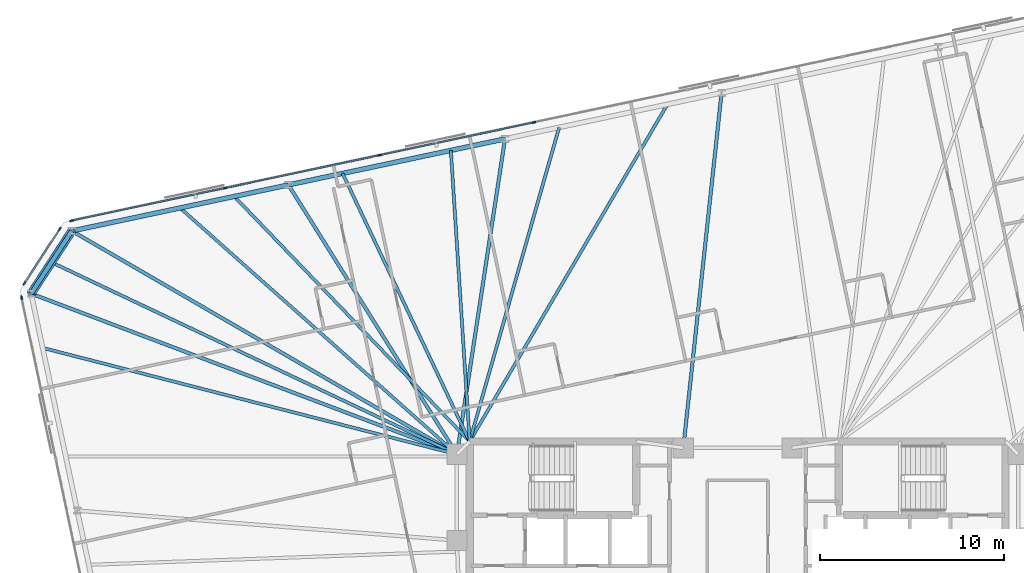
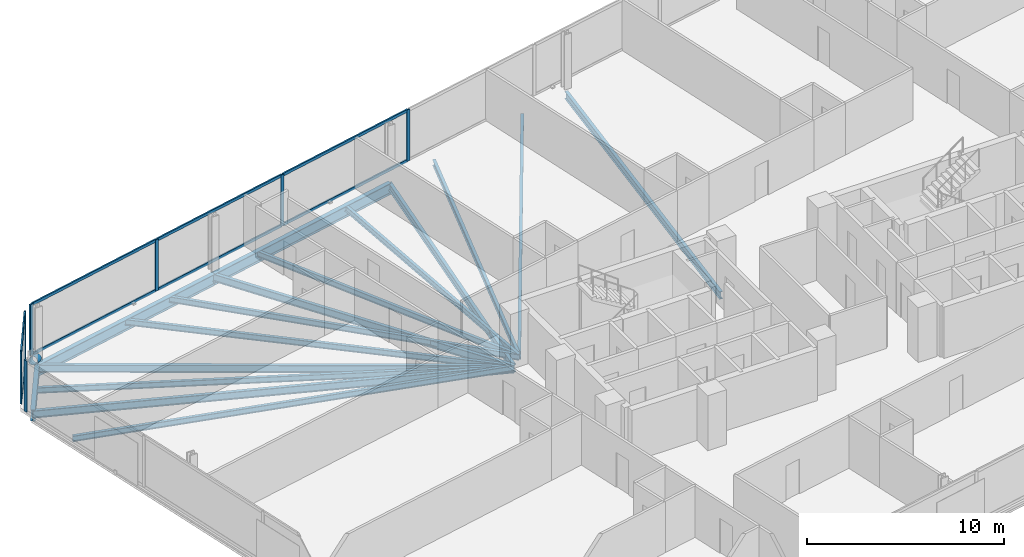
# One storey, part 9 of 19: 16 beams, 16 members, 3 elements without a shape of their own.
"""IFC4 building model written with IfcOpenShell, lengths in metres."""

from ifc_helpers import new_model, si_unit, direction, frame, origin, origin_2d, place, context, subcontext, project, spatial, rectangle, hollow_circle, i_section, extrude, material, material_profile, profile_set, type_object, element, aggregate, save


model = new_model("IFC4")

# Units and contexts
model_context = context("Model", 3, precision=1e-05, world=origin(), true_north=direction((0.0, 1.0)))
body_context = subcontext(model_context, "Body", "Model", "MODEL_VIEW")
ifc_project = project(units=[si_unit("LENGTHUNIT", "METRE"), si_unit("AREAUNIT", "SQUARE_METRE"), si_unit("VOLUMEUNIT", "CUBIC_METRE"), si_unit("PLANEANGLEUNIT", "RADIAN"), si_unit("MASSUNIT", "GRAM", prefix="KILO")], contexts=[model_context])

# Site, building, storey
site_placement = place(None, origin())
site = spatial("IfcSite", under=ifc_project, at=site_placement, CompositionType="ELEMENT")
building_placement = place(site_placement, origin())
building = spatial("IfcBuilding", under=site, at=building_placement, Name="Menara Jurai Vektor", CompositionType="ELEMENT")
storey_placement = place(building_placement, frame((0.0, 0.0, 182.0)))
storey = spatial("IfcBuildingStorey", under=building, at=storey_placement, Name="L47", CompositionType="ELEMENT", Elevation=182.0)

# Curtain wall, members
ifc_material_1 = material(Name="Anodised Pale Aluminium & Low-E Double Glazing", Category="aluminium")
curtain_wall_type = type_object("IfcCurtainWallType", Name="CW-BLK3", PredefinedType="NOTDEFINED", material=ifc_material_1)
curtain_wall_1_placement = place(storey_placement, origin())
curtain_wall_1 = element("IfcCurtainWall", 1, at=curtain_wall_1_placement, inside=storey, type_object=curtain_wall_type, Name="Unitised Curtain Wall L47 F05", PredefinedType="NOTDEFINED")
ifc_material_2 = material(Name="Anodised Pale Aluminium Mullion", Category="aluminium")
ifc_material_profile_1 = material_profile(ifc_material_2, rectangle(XDim=0.0849609375, YDim=0.205078125, at=origin_2d()), Name="ALU MUL 85x205")
ifc_profile_set_1 = profile_set([ifc_material_profile_1], Name="Anodised Pale Aluminium Mullion")
member_type_1 = type_object("IfcMemberType", Name="CW-BLK3-MUL", PredefinedType="MULLION", material=ifc_profile_set_1)
member_1_placement = place(storey_placement, frame((-11.06494140625, 22.9384765625, 0.0), z_axis=(0.0, 0.0, 1.0), x_axis=(0.207911344156, -0.978147674419, 0.0)))
member_1 = element("IfcMember", 2, at=member_1_placement, type_object=member_type_1, Name="CW-03 mullion 5", PredefinedType="MULLION", context=body_context, shape_type="SweptSolid", body=[
    extrude(rectangle(XDim=0.0849609375, YDim=0.205078125, at=origin_2d()), origin(), (0.0, 0.0, 1.0), 3.175048828125),
])
member_2_placement = place(storey_placement, frame((-19.45458984375, 21.1552734375, 0.0), z_axis=(0.0, 0.0, 1.0), x_axis=(0.207911344156, -0.978147674419, 0.0)))
member_2 = element("IfcMember", 3, at=member_2_placement, type_object=member_type_1, Name="CW-03 mullion 6", PredefinedType="MULLION", context=body_context, shape_type="SweptSolid", body=[
    extrude(rectangle(XDim=0.0849609375, YDim=0.205078125, at=origin_2d()), origin(), (0.0, 0.0, 1.0), 3.175048828125),
])
member_3_placement = place(storey_placement, frame((-27.844482421875, 19.3720703125, 0.0), z_axis=(0.0, 0.0, 1.0), x_axis=(0.207911344156, -0.978147674419, 0.0)))
member_3 = element("IfcMember", 4, at=member_3_placement, type_object=member_type_1, Name="CW-03 mullion 7", PredefinedType="MULLION", context=body_context, shape_type="SweptSolid", body=[
    extrude(rectangle(XDim=0.0849609375, YDim=0.205078125, at=origin_2d()), origin(), (0.0, 0.0, 1.0), 3.175048828125),
])
member_4_placement = place(storey_placement, frame((-36.192626953125, 17.59765625, 0.0), z_axis=(0.0, 0.0, 1.0), x_axis=(0.207911344156, -0.978147674419, 0.0)))
member_4 = element("IfcMember", 5, at=member_4_placement, type_object=member_type_1, Name="CW-03 mullion 8", PredefinedType="MULLION", context=body_context, shape_type="SweptSolid", body=[
    extrude(rectangle(XDim=0.0849609375, YDim=0.205078125, at=origin_2d()), origin(), (0.0, 0.0, 1.0), 3.175048828125),
])

curtain_wall_2_placement = place(storey_placement, origin())
curtain_wall_2 = element("IfcCurtainWall", 6, at=curtain_wall_2_placement, inside=storey, type_object=curtain_wall_type, Name="Unitised Curtain Wall L47 F06", PredefinedType="NOTDEFINED")
member_5_placement = place(storey_placement, frame((-36.8359375, 17.1552734375, 0.0), z_axis=(0.0, 0.0, 1.0), x_axis=(0.838684361415, -0.544617794346, 0.0)))
member_5 = element("IfcMember", 7, at=member_5_placement, type_object=member_type_1, Name="CW-03 mullion 1", PredefinedType="MULLION", context=body_context, shape_type="SweptSolid", body=[
    extrude(rectangle(XDim=0.0849609375, YDim=0.205078125, at=origin_2d()), origin(), (0.0, 0.0, 1.0), 3.175048828125),
])
member_6_placement = place(storey_placement, frame((-38.763427734375, 14.187255859375, 0.0), z_axis=(0.0, 0.0, 1.0), x_axis=(0.838684361415, -0.544617794346, 0.0)))
member_6 = element("IfcMember", 8, at=member_6_placement, type_object=member_type_1, Name="CW-03 mullion 2", PredefinedType="MULLION", context=body_context, shape_type="SweptSolid", body=[
    extrude(rectangle(XDim=0.0849609375, YDim=0.205078125, at=origin_2d()), origin(), (0.0, 0.0, 1.0), 3.175048828125),
])

# Curtain wall, member
curtain_wall_3_placement = place(storey_placement, origin())
curtain_wall_3 = element("IfcCurtainWall", 9, at=curtain_wall_3_placement, inside=storey, type_object=curtain_wall_type, Name="Unitised Curtain Wall L47 F07", PredefinedType="NOTDEFINED")
member_7_placement = place(storey_placement, frame((-38.90576171875, 13.419677734375, 0.0), z_axis=(0.0, 0.0, 1.0), x_axis=(0.978147883949, 0.20791035839, 0.0)))
member_7 = element("IfcMember", 10, at=member_7_placement, type_object=member_type_1, Name="CW-03 mullion 1", PredefinedType="MULLION", context=body_context, shape_type="SweptSolid", body=[
    extrude(rectangle(XDim=0.0849609375, YDim=0.205078125, at=origin_2d()), origin(), (0.0, 0.0, 1.0), 3.175048828125),
])
aggregate(curtain_wall_3, [member_7])

# Member
ifc_material_3 = material(Name="Anodised Pale Aluminium Transom", Category="aluminium")
ifc_material_profile_2 = material_profile(ifc_material_3, rectangle(XDim=0.0849609375, YDim=0.175048828125, at=origin_2d()), Name="ALU TRN 85x175")
ifc_profile_set_2 = profile_set([ifc_material_profile_2], Name="Anodised Pale Aluminium Transom")
member_type_2 = type_object("IfcMemberType", Name="CW-BLK3-TRN", PredefinedType="USERDEFINED", material=ifc_profile_set_2)
member_8_placement = place(storey_placement, frame((-11.1064453125, 22.9296875, 0.04248046875), z_axis=(-0.978147743708, -0.207911018178, 0.0), x_axis=(0.207911018178, -0.978147743708, 0.0)))
member_8 = element("IfcMember", 11, at=member_8_placement, type_object=member_type_2, Name="CW-03 transom 5.1", ObjectType="TRANSOM", PredefinedType="USERDEFINED", context=body_context, shape_type="SweptSolid", body=[
    extrude(rectangle(XDim=0.0849609375, YDim=0.175048828125, at=origin_2d()), origin(), (0.0, 0.0, 1.0), 8.4921875),
])

member_9_placement = place(storey_placement, frame((-11.1064453125, 22.9296875, 3.132568359375), z_axis=(-0.978147743708, -0.207911018178, 0.0), x_axis=(0.207911018178, -0.978147743708, 0.0)))
member_9 = element("IfcMember", 12, at=member_9_placement, type_object=member_type_2, Name="CW-03 transom 5.2", ObjectType="TRANSOM", PredefinedType="USERDEFINED", context=body_context, shape_type="SweptSolid", body=[
    extrude(rectangle(XDim=0.0849609375, YDim=0.175048828125, at=origin_2d()), origin(), (0.0, 0.0, 1.0), 8.4921875),
])

member_10_placement = place(storey_placement, frame((-19.496337890625, 21.146484375, 0.04248046875), z_axis=(-0.978146500933, -0.207916864907, 0.0), x_axis=(0.207916864907, -0.978146500933, 0.0)))
member_10 = element("IfcMember", 13, at=member_10_placement, type_object=member_type_2, Name="CW-03 transom 6.1", ObjectType="TRANSOM", PredefinedType="USERDEFINED", context=body_context, shape_type="SweptSolid", body=[
    extrude(rectangle(XDim=0.0849609375, YDim=0.175048828125, at=origin_2d()), origin(), (0.0, 0.0, 1.0), 8.491943359375),
])

member_11_placement = place(storey_placement, frame((-19.496337890625, 21.146484375, 3.132568359375), z_axis=(-0.978146500933, -0.207916864907, 0.0), x_axis=(0.207916864907, -0.978146500933, 0.0)))
member_11 = element("IfcMember", 14, at=member_11_placement, type_object=member_type_2, Name="CW-03 transom 6.2", ObjectType="TRANSOM", PredefinedType="USERDEFINED", context=body_context, shape_type="SweptSolid", body=[
    extrude(rectangle(XDim=0.0849609375, YDim=0.175048828125, at=origin_2d()), origin(), (0.0, 0.0, 1.0), 8.491943359375),
])

member_12_placement = place(storey_placement, frame((-27.885986328125, 19.363037109375, 0.04248046875), z_axis=(-0.978151580361, -0.207892967261, 0.0), x_axis=(0.207892967261, -0.978151580361, 0.0)))
member_12 = element("IfcMember", 15, at=member_12_placement, type_object=member_type_2, Name="CW-03 transom 7.1", ObjectType="TRANSOM", PredefinedType="USERDEFINED", context=body_context, shape_type="SweptSolid", body=[
    extrude(rectangle(XDim=0.0849609375, YDim=0.175048828125, at=origin_2d()), origin(), (0.0, 0.0, 1.0), 8.449462890625),
])

member_13_placement = place(storey_placement, frame((-27.885986328125, 19.363037109375, 3.132568359375), z_axis=(-0.978151580361, -0.207892967261, 0.0), x_axis=(0.207892967261, -0.978151580361, 0.0)))
member_13 = element("IfcMember", 16, at=member_13_placement, type_object=member_type_2, Name="CW-03 transom 7.2", ObjectType="TRANSOM", PredefinedType="USERDEFINED", context=body_context, shape_type="SweptSolid", body=[
    extrude(rectangle(XDim=0.0849609375, YDim=0.175048828125, at=origin_2d()), origin(), (0.0, 0.0, 1.0), 8.449462890625),
])

aggregate(curtain_wall_1, [member_1, member_2, member_3, member_4, member_8, member_9, member_10, member_11, member_12, member_13])

member_14_placement = place(storey_placement, frame((-36.859130859375, 17.11962890625, 0.04248046875), z_axis=(-0.54462804274, -0.83867770631, 0.0), x_axis=(0.83867770631, -0.54462804274, 0.0)))
member_14 = element("IfcMember", 17, at=member_14_placement, type_object=member_type_2, Name="CW-03 transom 1.1", ObjectType="TRANSOM", PredefinedType="USERDEFINED", context=body_context, shape_type="SweptSolid", body=[
    extrude(rectangle(XDim=0.0849609375, YDim=0.175048828125, at=origin_2d()), origin(), (0.0, 0.0, 1.0), 3.453857421875),
])

member_15_placement = place(storey_placement, frame((-36.859130859375, 17.11962890625, 3.132568359375), z_axis=(-0.54462804274, -0.83867770631, 0.0), x_axis=(0.83867770631, -0.54462804274, 0.0)))
member_15 = element("IfcMember", 18, at=member_15_placement, type_object=member_type_2, Name="CW-03 transom 1.2", ObjectType="TRANSOM", PredefinedType="USERDEFINED", context=body_context, shape_type="SweptSolid", body=[
    extrude(rectangle(XDim=0.0849609375, YDim=0.175048828125, at=origin_2d()), origin(), (0.0, 0.0, 1.0), 3.453857421875),
])

aggregate(curtain_wall_2, [member_5, member_6, member_14, member_15])

# Beams
ifc_material_4 = material(Name="Steel S355", Category="steel")
ifc_material_profile_3 = material_profile(ifc_material_4, i_section(OverallWidth=0.19091796875, OverallDepth=0.4599609375, WebThickness=0.010009765625, FlangeThickness=0.01611328125, FilletRadius=0.010009765625, at=origin_2d()), Name="UKB 457x191x82")
ifc_profile_set_3 = profile_set([ifc_material_profile_3], Name="Steel S355")
beam_type_1 = type_object("IfcBeamType", Name="STR-BM-457", PredefinedType="BEAM", material=ifc_profile_set_3)
beam_1_placement = place(storey_placement, frame((-0.87158203125, 24.54296875, -0.455078125), z_axis=(-0.107107067506, -0.994247492373, 0.0), x_axis=(0.994247492373, -0.107107067506, 0.0)))
element("IfcBeam", 19, at=beam_1_placement, inside=storey, type_object=beam_type_1, Name="Radial Floor Girder L47-N3", PredefinedType="BEAM", context=body_context, shape_type="SweptSolid", body=[
    extrude(i_section(OverallWidth=0.19091796875, OverallDepth=0.4599609375, WebThickness=0.010009765625, FlangeThickness=0.01611328125, FilletRadius=0.010009765625, at=origin_2d()), origin(), (0.0, 0.0, 1.0), 19.404541015625),
])
beam_2_placement = place(storey_placement, frame((-12.639892578125, 22.04150390625, -0.455078125), z_axis=(-0.150532344322, -0.988605084608, 0.0), x_axis=(0.988605084608, -0.150532344322, 0.0)))
element("IfcBeam", 20, at=beam_2_placement, inside=storey, type_object=beam_type_1, Name="Radial Floor Girder L47-N4", PredefinedType="BEAM", context=body_context, shape_type="SweptSolid", body=[
    extrude(i_section(OverallWidth=0.19091796875, OverallDepth=0.4599609375, WebThickness=0.010009765625, FlangeThickness=0.01611328125, FilletRadius=0.010009765625, at=origin_2d()), origin(), (0.0, 0.0, 1.0), 17.339111328125),
])
beam_3_placement = place(storey_placement, frame((-24.408203125, 19.5400390625, -0.455078125), z_axis=(0.53033693414, -0.847786963976, 0.0), x_axis=(0.847786963976, 0.53033693414, 0.0)))
element("IfcBeam", 21, at=beam_3_placement, inside=storey, type_object=beam_type_1, Name="Radial Floor Girder L47-N5", PredefinedType="BEAM", context=body_context, shape_type="SweptSolid", body=[
    extrude(i_section(OverallWidth=0.19091796875, OverallDepth=0.4599609375, WebThickness=0.010009765625, FlangeThickness=0.01611328125, FilletRadius=0.010009765625, at=origin_2d()), origin(), (0.0, 0.0, 1.0), 17.2685546875),
])
beam_4_placement = place(storey_placement, frame((-36.17626953125, 17.038818359375, -0.455078125), z_axis=(0.86500105453, -0.50177004261, 0.0), x_axis=(0.50177004261, 0.86500105453, 0.0)))
element("IfcBeam", 22, at=beam_4_placement, inside=storey, type_object=beam_type_1, Name="Radial Floor Girder L47-N6", PredefinedType="BEAM", context=body_context, shape_type="SweptSolid", body=[
    extrude(i_section(OverallWidth=0.19091796875, OverallDepth=0.4599609375, WebThickness=0.010009765625, FlangeThickness=0.01611328125, FilletRadius=0.010009765625, at=origin_2d()), origin(), (0.0, 0.0, 1.0), 24.192138671875),
])
beam_5_placement = place(storey_placement, frame((-38.388671875, 13.632080078125, -0.455078125), z_axis=(0.935593658977, -0.353078610626, 0.0), x_axis=(0.353078610626, 0.935593658977, 0.0)))
element("IfcBeam", 23, at=beam_5_placement, inside=storey, type_object=beam_type_1, Name="Radial Floor Girder L47-W1", PredefinedType="BEAM", context=body_context, shape_type="SweptSolid", body=[
    extrude(i_section(OverallWidth=0.19091796875, OverallDepth=0.4599609375, WebThickness=0.010009765625, FlangeThickness=0.01611328125, FilletRadius=0.010009765625, at=origin_2d()), origin(), (0.0, 0.0, 1.0), 24.7314453125),
])

# Member
ifc_material_5 = material(Name="Steel S460", Category="steel")
ifc_material_profile_4 = material_profile(ifc_material_5, hollow_circle(Radius=0.228515625, WallThickness=0.01611328125, at=origin_2d()), Name="CHS 457x16")
ifc_profile_set_4 = profile_set([ifc_material_profile_4], Name="Steel S460")
member_type_3 = type_object("IfcMemberType", Name="STR-BR-457", PredefinedType="BRACE", material=ifc_profile_set_4)
member_16_placement = place(storey_placement, frame((-36.17626953125, 17.03857421875, 0.14990234375), z_axis=(-0.454887866849, -0.700402825662, 0.5500117366), x_axis=(0.838648168484, -0.544673525608, 0.0)))
element("IfcMember", 24, at=member_16_placement, inside=storey, type_object=member_type_3, Name="Exoskeleton Corner Brace L47-3", PredefinedType="BRACE", context=body_context, shape_type="SweptSolid", body=[
    extrude(hollow_circle(Radius=0.228515625, WallThickness=0.01611328125, at=origin_2d()), origin(), (0.0, 0.0, 1.0), 4.863525390625),
])

# Beams
ifc_material_profile_5 = material_profile(ifc_material_4, i_section(OverallWidth=0.172119140625, OverallDepth=0.35498046875, WebThickness=0.007080078125, FlangeThickness=0.011962890625, FilletRadius=0.010009765625, at=origin_2d()), Name="UKB 356x171x51")
ifc_profile_set_5 = profile_set([ifc_material_profile_5], Name="Steel S355")
beam_type_2 = type_object("IfcBeamType", Name="STR-JS-356", PredefinedType="JOIST", material=ifc_profile_set_5)
beam_6_placement = place(storey_placement, frame((-3.813720703125, 23.91748046875, -0.402587890625), z_axis=(-0.506019514775, -0.862522029091, 0.0), x_axis=(0.862522029091, -0.506019514775, 0.0)))
element("IfcBeam", 25, at=beam_6_placement, inside=storey, type_object=beam_type_2, Name="Radial Secondary Floor Joist L47-JS22", PredefinedType="JOIST", context=body_context, shape_type="SweptSolid", body=[
    extrude(i_section(OverallWidth=0.172119140625, OverallDepth=0.35498046875, WebThickness=0.007080078125, FlangeThickness=0.011962890625, FilletRadius=0.010009765625, at=origin_2d()), origin(), (0.0, 0.0, 1.0), 21.237060546875),
])
beam_7_placement = place(storey_placement, frame((-9.69775390625, 22.666748046875, -0.402587890625), z_axis=(-0.273997863708, -0.961730300387, 0.0), x_axis=(0.961730300387, -0.273997863708, 0.0)))
element("IfcBeam", 26, at=beam_7_placement, inside=storey, type_object=beam_type_2, Name="Radial Secondary Floor Joist L47-JS23", PredefinedType="JOIST", context=body_context, shape_type="SweptSolid", body=[
    extrude(i_section(OverallWidth=0.172119140625, OverallDepth=0.35498046875, WebThickness=0.007080078125, FlangeThickness=0.011962890625, FilletRadius=0.010009765625, at=origin_2d()), origin(), (0.0, 0.0, 1.0), 17.745849609375),
])
beam_8_placement = place(storey_placement, frame((-15.581787109375, 21.416015625, -0.402587890625), z_axis=(0.064466897528, -0.997919846041, 0.0), x_axis=(0.997919846041, 0.064466897528, 0.0)))
element("IfcBeam", 27, at=beam_8_placement, inside=storey, type_object=beam_type_2, Name="Radial Secondary Floor Joist L47-JS24", PredefinedType="JOIST", context=body_context, shape_type="SweptSolid", body=[
    extrude(i_section(OverallWidth=0.172119140625, OverallDepth=0.35498046875, WebThickness=0.007080078125, FlangeThickness=0.011962890625, FilletRadius=0.010009765625, at=origin_2d()), origin(), (0.0, 0.0, 1.0), 15.848876953125),
])
beam_9_placement = place(storey_placement, frame((-21.466064453125, 20.165283203125, -0.402587890625), z_axis=(0.428426167333, -0.903576792057, 0.0), x_axis=(0.903576792057, 0.428426167333, 0.0)))
element("IfcBeam", 28, at=beam_9_placement, inside=storey, type_object=beam_type_2, Name="Radial Secondary Floor Joist L47-JS25", PredefinedType="JOIST", context=body_context, shape_type="SweptSolid", body=[
    extrude(i_section(OverallWidth=0.172119140625, OverallDepth=0.35498046875, WebThickness=0.007080078125, FlangeThickness=0.011962890625, FilletRadius=0.010009765625, at=origin_2d()), origin(), (0.0, 0.0, 1.0), 16.119384765625),
])
beam_10_placement = place(storey_placement, frame((-27.35009765625, 18.914794921875, -0.402587890625), z_axis=(0.692755307066, -0.721172714772, 0.0), x_axis=(0.721172714772, 0.692755307066, 0.0)))
element("IfcBeam", 29, at=beam_10_placement, inside=storey, type_object=beam_type_2, Name="Radial Secondary Floor Joist L47-JS26", PredefinedType="JOIST", context=body_context, shape_type="SweptSolid", body=[
    extrude(i_section(OverallWidth=0.172119140625, OverallDepth=0.35498046875, WebThickness=0.007080078125, FlangeThickness=0.011962890625, FilletRadius=0.010009765625, at=origin_2d()), origin(), (0.0, 0.0, 1.0), 18.462646484375),
])
beam_11_placement = place(storey_placement, frame((-30.292236328125, 18.289306640625, -0.402587890625), z_axis=(0.746952302948, -0.664877625673, 0.0), x_axis=(0.664877625673, 0.746952302948, 0.0)))
element("IfcBeam", 30, at=beam_11_placement, inside=storey, type_object=beam_type_2, Name="Radial Secondary Floor Joist L47-JS27", PredefinedType="JOIST", context=body_context, shape_type="SweptSolid", body=[
    extrude(i_section(OverallWidth=0.172119140625, OverallDepth=0.35498046875, WebThickness=0.007080078125, FlangeThickness=0.011962890625, FilletRadius=0.010009765625, at=origin_2d()), origin(), (0.0, 0.0, 1.0), 20.13818359375),
])
beam_12_placement = place(storey_placement, frame((-37.282470703125, 15.33544921875, -0.402587890625), z_axis=(0.903751908448, -0.428056641085, 0.0), x_axis=(0.428056641085, 0.903751908448, 0.0)))
element("IfcBeam", 31, at=beam_12_placement, inside=storey, type_object=beam_type_2, Name="Radial Secondary Floor Joist L47-JS28", PredefinedType="JOIST", context=body_context, shape_type="SweptSolid", body=[
    extrude(i_section(OverallWidth=0.172119140625, OverallDepth=0.35498046875, WebThickness=0.007080078125, FlangeThickness=0.011962890625, FilletRadius=0.010009765625, at=origin_2d()), origin(), (0.0, 0.0, 1.0), 24.37890625),
])
beam_13_placement = place(storey_placement, frame((-37.76220703125, 10.68505859375, -0.402587890625), z_axis=(0.968531283953, -0.248891848005, 0.0), x_axis=(0.248891848005, 0.968531283953, 0.0)))
element("IfcBeam", 32, at=beam_13_placement, inside=storey, type_object=beam_type_2, Name="Radial Secondary Floor Joist L47-JS29", PredefinedType="JOIST", context=body_context, shape_type="SweptSolid", body=[
    extrude(i_section(OverallWidth=0.172119140625, OverallDepth=0.35498046875, WebThickness=0.007080078125, FlangeThickness=0.011962890625, FilletRadius=0.010009765625, at=origin_2d()), origin(), (0.0, 0.0, 1.0), 23.24365234375),
])
ifc_material_profile_6 = material_profile(ifc_material_5, i_section(OverallWidth=0.256103515625, OverallDepth=0.693115234375, WebThickness=0.013916015625, FlangeThickness=0.02392578125, FilletRadius=0.014892578125, at=origin_2d()), Name="UKB 686x254x170")
ifc_profile_set_6 = profile_set([ifc_material_profile_6], Name="Steel S460")
beam_type_3 = type_object("IfcBeamType", Name="STR-SP-686", PredefinedType="SPANDREL", material=ifc_profile_set_6)
beam_14_placement = place(storey_placement, frame((-12.639892578125, 22.04150390625, -0.571533203125), z_axis=(-0.978147039247, -0.207914332389, 0.0), x_axis=(0.207914332389, -0.978147039247, 0.0)))
element("IfcBeam", 33, at=beam_14_placement, inside=storey, type_object=beam_type_3, Name="Exoskeleton Spandrel Beam L47-14", PredefinedType="SPANDREL", context=body_context, shape_type="SweptSolid", body=[
    extrude(i_section(OverallWidth=0.256103515625, OverallDepth=0.693115234375, WebThickness=0.013916015625, FlangeThickness=0.02392578125, FilletRadius=0.014892578125, at=origin_2d()), origin(), (0.0, 0.0, 1.0), 12.03125),
])
beam_15_placement = place(storey_placement, frame((-24.408203125, 19.5400390625, -0.571533203125), z_axis=(-0.978150288855, -0.207899043801, 0.0), x_axis=(0.207899043801, -0.978150288855, 0.0)))
element("IfcBeam", 34, at=beam_15_placement, inside=storey, type_object=beam_type_3, Name="Exoskeleton Spandrel Beam L47-15", PredefinedType="SPANDREL", context=body_context, shape_type="SweptSolid", body=[
    extrude(i_section(OverallWidth=0.256103515625, OverallDepth=0.693115234375, WebThickness=0.013916015625, FlangeThickness=0.02392578125, FilletRadius=0.014892578125, at=origin_2d()), origin(), (0.0, 0.0, 1.0), 12.031005859375),
])
beam_16_placement = place(storey_placement, frame((-36.17626953125, 17.038818359375, -0.571533203125), z_axis=(-0.544646071268, -0.838665998507, 0.0), x_axis=(0.838665998507, -0.544646071268, 0.0)))
element("IfcBeam", 35, at=beam_16_placement, inside=storey, type_object=beam_type_3, Name="Exoskeleton Spandrel Beam L47-16", PredefinedType="SPANDREL", context=body_context, shape_type="SweptSolid", body=[
    extrude(i_section(OverallWidth=0.256103515625, OverallDepth=0.693115234375, WebThickness=0.013916015625, FlangeThickness=0.02392578125, FilletRadius=0.014892578125, at=origin_2d()), origin(), (0.0, 0.0, 1.0), 4.06201171875),
])

save(model, "model.ifc")
